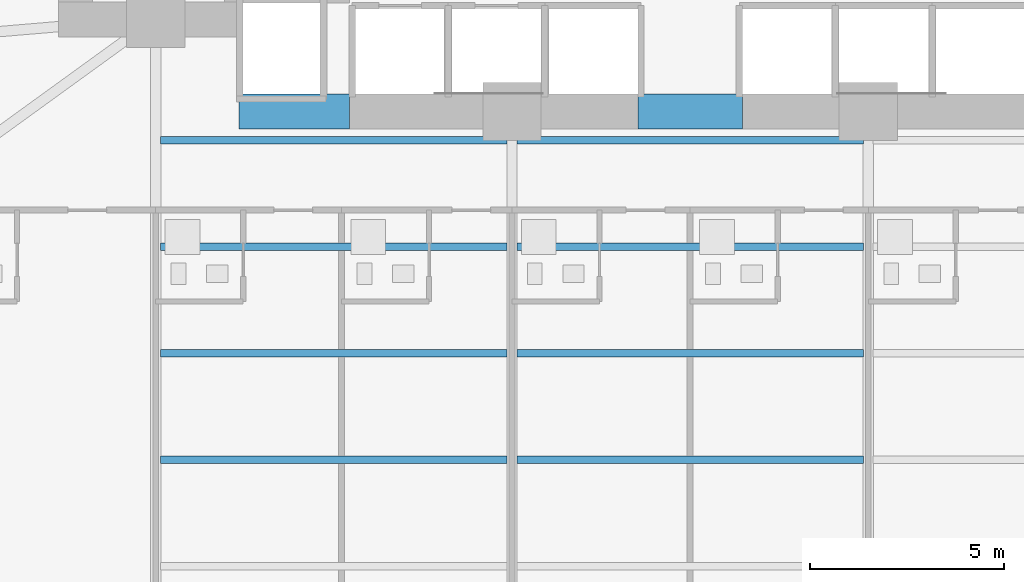
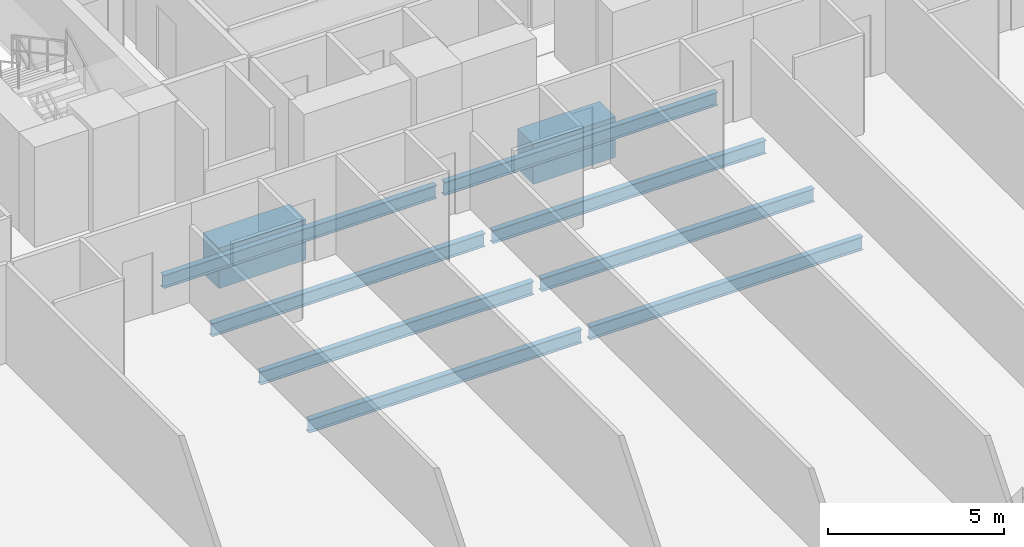
# One storey, part 7 of 29: 10 beams.
"""IFC4 building model written with IfcOpenShell, lengths in metres."""

from ifc_helpers import new_model, si_unit, direction, frame, origin, origin_2d, place, context, subcontext, project, spatial, rectangle, i_section, extrude, material, material_profile, profile_set, type_object, element, save


model = new_model("IFC4")

# Units and contexts
model_context = context("Model", 3, precision=1e-05, world=origin(), true_north=direction((0.0, 1.0)))
body_context = subcontext(model_context, "Body", "Model", "MODEL_VIEW")
ifc_project = project(units=[si_unit("LENGTHUNIT", "METRE"), si_unit("AREAUNIT", "SQUARE_METRE"), si_unit("VOLUMEUNIT", "CUBIC_METRE"), si_unit("PLANEANGLEUNIT", "RADIAN"), si_unit("MASSUNIT", "GRAM", prefix="KILO")], contexts=[model_context])

# Site, building, storey
site_placement = place(None, origin())
site = spatial("IfcSite", under=ifc_project, at=site_placement, CompositionType="ELEMENT")
building_placement = place(site_placement, origin())
building = spatial("IfcBuilding", under=site, at=building_placement, Name="Zuhayl Quay Hotel", CompositionType="ELEMENT")
storey_placement = place(building_placement, frame((0.0, 0.0, 60.449951171875)))
storey = spatial("IfcBuildingStorey", under=building, at=storey_placement, Name="L14", CompositionType="ELEMENT", Elevation=60.449951171875)

# Beams
ifc_material_1 = material(Name="Concrete C60/75", Category="concrete")
ifc_material_profile_1 = material_profile(ifc_material_1, rectangle(XDim=0.89990234375, YDim=1.39990234375, at=origin_2d()), Name="RC900X1400")
ifc_profile_set_1 = profile_set([ifc_material_profile_1], Name="Concrete C60/75")
beam_type_1 = type_object("IfcBeamType", Name="BM_CB1_RC900", PredefinedType="T_BEAM", material=ifc_profile_set_1)
beam_1_placement = place(storey_placement, frame((-11.64990234375, 2.14990234375, -0.919921875), z_axis=(1.0, 0.0, 0.0), x_axis=(0.0, 1.0, 0.0)))
element("IfcBeam", 1, at=beam_1_placement, inside=storey, type_object=beam_type_1, Name="L14 Core Coupling Beam SW", PredefinedType="T_BEAM", context=body_context, shape_type="SweptSolid", body=[
    extrude(rectangle(XDim=0.89990234375, YDim=1.39990234375, at=origin_2d()), origin(), (0.0, 0.0, 1.0), 2.849853515625),
])
beam_2_placement = place(storey_placement, frame((-1.35009765625, 2.14990234375, -0.919921875), z_axis=(1.0, 0.0, 0.0), x_axis=(0.0, 1.0, 0.0)))
element("IfcBeam", 2, at=beam_2_placement, inside=storey, type_object=beam_type_1, Name="L14 Core Coupling Beam South", PredefinedType="T_BEAM", context=body_context, shape_type="SweptSolid", body=[
    extrude(rectangle(XDim=0.89990234375, YDim=1.39990234375, at=origin_2d()), origin(), (0.0, 0.0, 1.0), 2.7001953125),
])
ifc_material_2 = material(Name="Steel ASTM A992 Grade 50", Category="steel")
ifc_material_profile_2 = material_profile(ifc_material_2, i_section(OverallWidth=0.18994140625, OverallDepth=0.45703125, WebThickness=0.009033203125, FlangeThickness=0.014404296875, at=origin_2d()), Name="W18X50")
ifc_profile_set_2 = profile_set([ifc_material_profile_2], Name="Steel ASTM A992 Grade 50")
beam_type_2 = type_object("IfcBeamType", Name="BM_J2_W18X50", PredefinedType="JOIST", material=ifc_profile_set_2)
beam_3_placement = place(storey_placement, frame((-13.674560546875, -6.85009765625, -0.448486328125), z_axis=(1.0, 0.0, 0.0), x_axis=(0.0, 1.0, 0.0)))
element("IfcBeam", 3, at=beam_3_placement, inside=storey, type_object=beam_type_2, Name="L14 Floor Beam FJ_L14_7_1", PredefinedType="JOIST", context=body_context, shape_type="SweptSolid", body=[
    extrude(i_section(OverallWidth=0.18994140625, OverallDepth=0.45703125, WebThickness=0.009033203125, FlangeThickness=0.014404296875, at=origin_2d()), origin(), (0.0, 0.0, 1.0), 8.948974609375),
])
beam_4_placement = place(storey_placement, frame((-4.474609375, -6.85009765625, -0.448486328125), z_axis=(1.0, 0.0, 0.0), x_axis=(0.0, 1.0, 0.0)))
element("IfcBeam", 4, at=beam_4_placement, inside=storey, type_object=beam_type_2, Name="L14 Floor Beam FJ_L14_7_2", PredefinedType="JOIST", context=body_context, shape_type="SweptSolid", body=[
    extrude(i_section(OverallWidth=0.18994140625, OverallDepth=0.45703125, WebThickness=0.009033203125, FlangeThickness=0.014404296875, at=origin_2d()), origin(), (0.0, 0.0, 1.0), 8.94921875),
])
beam_5_placement = place(storey_placement, frame((-13.674560546875, -4.10009765625, -0.448486328125), z_axis=(1.0, 0.0, 0.0), x_axis=(0.0, 1.0, 0.0)))
element("IfcBeam", 5, at=beam_5_placement, inside=storey, type_object=beam_type_2, Name="L14 Floor Beam FJ_L14_8_1", PredefinedType="JOIST", context=body_context, shape_type="SweptSolid", body=[
    extrude(i_section(OverallWidth=0.18994140625, OverallDepth=0.45703125, WebThickness=0.009033203125, FlangeThickness=0.014404296875, at=origin_2d()), origin(), (0.0, 0.0, 1.0), 8.948974609375),
])
beam_6_placement = place(storey_placement, frame((-4.474609375, -4.10009765625, -0.448486328125), z_axis=(1.0, 0.0, 0.0), x_axis=(0.0, 1.0, 0.0)))
element("IfcBeam", 6, at=beam_6_placement, inside=storey, type_object=beam_type_2, Name="L14 Floor Beam FJ_L14_8_2", PredefinedType="JOIST", context=body_context, shape_type="SweptSolid", body=[
    extrude(i_section(OverallWidth=0.18994140625, OverallDepth=0.45703125, WebThickness=0.009033203125, FlangeThickness=0.014404296875, at=origin_2d()), origin(), (0.0, 0.0, 1.0), 8.94921875),
])
beam_7_placement = place(storey_placement, frame((-13.674560546875, -1.35009765625, -0.448486328125), z_axis=(1.0, 0.0, 0.0), x_axis=(0.0, 1.0, 0.0)))
element("IfcBeam", 7, at=beam_7_placement, inside=storey, type_object=beam_type_2, Name="L14 Floor Beam FJ_L14_9_1", PredefinedType="JOIST", context=body_context, shape_type="SweptSolid", body=[
    extrude(i_section(OverallWidth=0.18994140625, OverallDepth=0.45703125, WebThickness=0.009033203125, FlangeThickness=0.014404296875, at=origin_2d()), origin(), (0.0, 0.0, 1.0), 8.948974609375),
])
beam_8_placement = place(storey_placement, frame((-4.474609375, -1.35009765625, -0.448486328125), z_axis=(1.0, 0.0, 0.0), x_axis=(0.0, 1.0, 0.0)))
element("IfcBeam", 8, at=beam_8_placement, inside=storey, type_object=beam_type_2, Name="L14 Floor Beam FJ_L14_9_2", PredefinedType="JOIST", context=body_context, shape_type="SweptSolid", body=[
    extrude(i_section(OverallWidth=0.18994140625, OverallDepth=0.45703125, WebThickness=0.009033203125, FlangeThickness=0.014404296875, at=origin_2d()), origin(), (0.0, 0.0, 1.0), 8.94921875),
])
beam_9_placement = place(storey_placement, frame((-13.674560546875, 1.39990234375, -0.448486328125), z_axis=(1.0, 0.0, 0.0), x_axis=(0.0, 1.0, 0.0)))
element("IfcBeam", 9, at=beam_9_placement, inside=storey, type_object=beam_type_2, Name="L14 Floor Beam FJ_L14_10_1", PredefinedType="JOIST", context=body_context, shape_type="SweptSolid", body=[
    extrude(i_section(OverallWidth=0.18994140625, OverallDepth=0.45703125, WebThickness=0.009033203125, FlangeThickness=0.014404296875, at=origin_2d()), origin(), (0.0, 0.0, 1.0), 8.948974609375),
])
beam_10_placement = place(storey_placement, frame((-4.474609375, 1.39990234375, -0.448486328125), z_axis=(1.0, 0.0, 0.0), x_axis=(0.0, 1.0, 0.0)))
element("IfcBeam", 10, at=beam_10_placement, inside=storey, type_object=beam_type_2, Name="L14 Floor Beam FJ_L14_10_2", PredefinedType="JOIST", context=body_context, shape_type="SweptSolid", body=[
    extrude(i_section(OverallWidth=0.18994140625, OverallDepth=0.45703125, WebThickness=0.009033203125, FlangeThickness=0.014404296875, at=origin_2d()), origin(), (0.0, 0.0, 1.0), 8.94921875),
])

save(model, "model.ifc")
